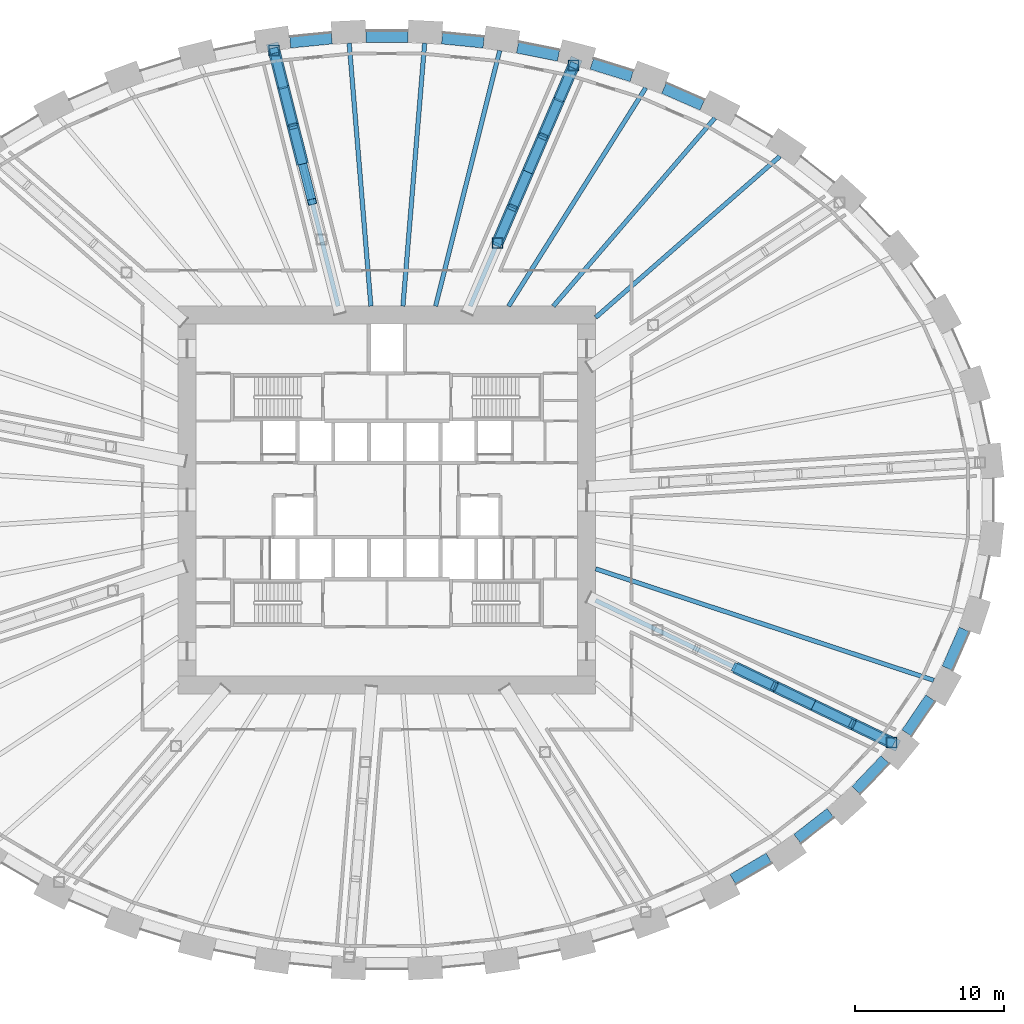
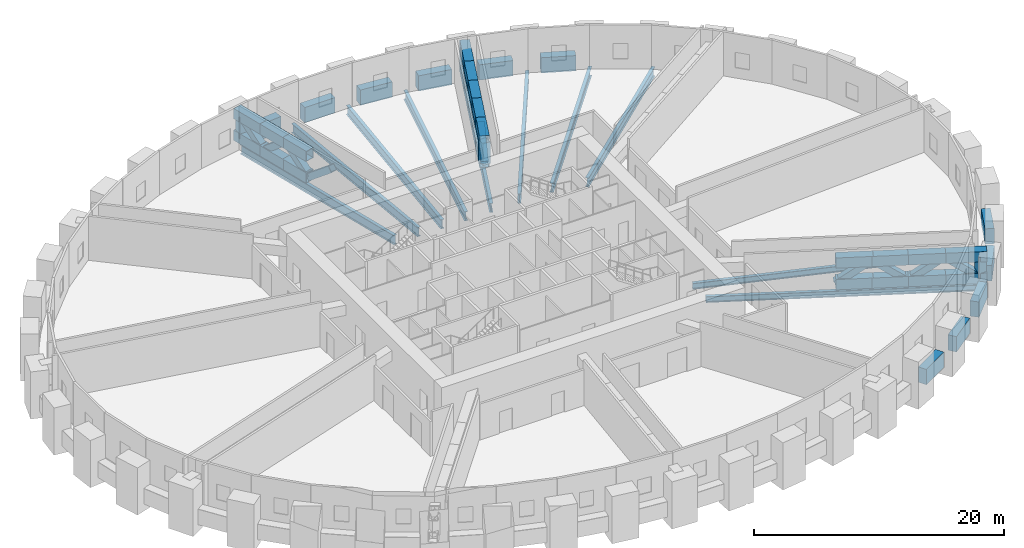
# One storey, part 5 of 14: 41 members, 21 beams.
"""IFC4 building model written with IfcOpenShell, lengths in metres."""

from ifc_helpers import new_model, si_unit, direction, frame, origin, origin_2d, place, context, subcontext, project, spatial, rectangle, hollow_rectangle, i_section, extrude, source, transform, mapped, material, material_profile, profile_set, type_object, element, save


model = new_model("IFC4")

# Units and contexts
model_context = context("Model", 3, precision=1e-05, world=origin(), true_north=direction((0.0, 1.0)))
body_context = subcontext(model_context, "Body", "Model", "MODEL_VIEW")
ifc_project = project(units=[si_unit("LENGTHUNIT", "METRE"), si_unit("AREAUNIT", "SQUARE_METRE"), si_unit("VOLUMEUNIT", "CUBIC_METRE"), si_unit("PLANEANGLEUNIT", "RADIAN"), si_unit("MASSUNIT", "GRAM", prefix="KILO")], contexts=[model_context])

# Site, building, storey
site_placement = place(None, origin())
site = spatial("IfcSite", under=ifc_project, at=site_placement, CompositionType="ELEMENT")
building_placement = place(site_placement, origin())
building = spatial("IfcBuilding", under=site, at=building_placement, Name="Embergate Tower", CompositionType="ELEMENT")
storey_placement = place(building_placement, frame((0.0, 0.0, 101.0)))
storey = spatial("IfcBuildingStorey", under=building, at=storey_placement, Name="L21", CompositionType="ELEMENT", Elevation=101.0)

# Beams
ifc_material_1 = material(Name="Concrete C70", Category="concrete")
ifc_material_profile_1 = material_profile(ifc_material_1, rectangle(XDim=0.75, YDim=1.5, at=origin_2d()), Name="RC 750x1500")
ifc_profile_set_1 = profile_set([ifc_material_profile_1], Name="Concrete C70")
beam_type_1 = type_object("IfcBeamType", Name="Spandrel beam RC 750x1500 C70", PredefinedType="BEAM", material=ifc_profile_set_1)
shared_shape_1 = source(origin(), body_context, "Body", "SweptSolid", [
    extrude(rectangle(XDim=0.75, YDim=1.5, at=origin_2d()), origin(), (0.0, 0.0, 1.0), 2.84130859375),
])
beam_1_placement = place(storey_placement, frame((37.5859375, -11.282958984375, 0.0), z_axis=(0.401621037759, 0.915805952169, 0.0), x_axis=(-0.915805952169, 0.401621037759, 0.0)))
element("IfcBeam", 1, at=beam_1_placement, inside=storey, type_object=beam_type_1, Name="SPN-L21-41", PredefinedType="BEAM", context=body_context, shape_type="MappedRepresentation", body=[
    mapped(shared_shape_1, transform((0.0, 0.0, 0.0))),
])
shared_shape_2 = source(origin(), body_context, "Body", "SweptSolid", [
    extrude(rectangle(XDim=0.75, YDim=1.5, at=origin_2d()), origin(), (0.0, 0.0, 1.0), 2.83203125),
])
beam_2_placement = place(storey_placement, frame((34.863037109375, -15.6279296875, 0.0), z_axis=(0.56217796331, 0.827016286157, 0.0), x_axis=(-0.827016286157, 0.56217796331, 0.0)))
element("IfcBeam", 2, at=beam_2_placement, inside=storey, type_object=beam_type_1, Name="SPN-L21-40", PredefinedType="BEAM", context=body_context, shape_type="MappedRepresentation", body=[
    mapped(shared_shape_2, transform((0.0, 0.0, 0.0))),
])
shared_shape_3 = source(origin(), body_context, "Body", "SweptSolid", [
    extrude(rectangle(XDim=0.75, YDim=1.5, at=origin_2d()), origin(), (0.0, 0.0, 1.0), 2.826171875),
])
beam_3_placement = place(storey_placement, frame((31.467041015625, -19.4619140625, 0.0), z_axis=(0.690282598808, 0.723539863299, 0.0), x_axis=(-0.723539863299, 0.690282598808, 0.0)))
element("IfcBeam", 3, at=beam_3_placement, inside=storey, type_object=beam_type_1, Name="SPN-L21-39", PredefinedType="BEAM", context=body_context, shape_type="MappedRepresentation", body=[
    mapped(shared_shape_3, transform((0.0, 0.0, 0.0))),
])
shared_shape_4 = source(origin(), body_context, "Body", "SweptSolid", [
    extrude(rectangle(XDim=0.75, YDim=1.5, at=origin_2d()), origin(), (0.0, 0.0, 1.0), 2.817138671875),
])
beam_4_placement = place(storey_placement, frame((27.528076171875, -22.72412109375, 0.0), z_axis=(0.788361915434, 0.615211744275, 0.0), x_axis=(-0.615211744275, 0.788361915434, 0.0)))
element("IfcBeam", 4, at=beam_4_placement, inside=storey, type_object=beam_type_1, Name="SPN-L21-38", PredefinedType="BEAM", context=body_context, shape_type="MappedRepresentation", body=[
    mapped(shared_shape_4, transform((0.0, 0.0, 0.0))),
])
shared_shape_5 = source(origin(), body_context, "Body", "SweptSolid", [
    extrude(rectangle(XDim=0.75, YDim=1.5, at=origin_2d()), origin(), (0.0, 0.0, 1.0), 2.813232421875),
])
beam_5_placement = place(storey_placement, frame((23.200927734375, -25.443115234375, 0.0), z_axis=(0.862007825953, 0.506894967421, 0.0), x_axis=(-0.506894967421, 0.862007825953, 0.0)))
element("IfcBeam", 5, at=beam_5_placement, inside=storey, type_object=beam_type_1, Name="SPN-L21-37", PredefinedType="BEAM", context=body_context, shape_type="MappedRepresentation", body=[
    mapped(shared_shape_5, transform((0.0, 0.0, 0.0))),
])
shared_shape_6 = source(origin(), body_context, "Body", "SweptSolid", [
    extrude(rectangle(XDim=0.75, YDim=1.5, at=origin_2d()), origin(), (0.0, 0.0, 1.0), 2.81005859375),
])
beam_6_placement = place(storey_placement, frame((21.152099609375, 26.488037109375, 0.0), z_axis=(-0.916061598474, 0.401037589013, 0.0), x_axis=(-0.401037589013, -0.916061598474, 0.0)))
element("IfcBeam", 6, at=beam_6_placement, inside=storey, type_object=beam_type_1, Name="SPN-L21-06", PredefinedType="BEAM", context=body_context, shape_type="MappedRepresentation", body=[
    mapped(shared_shape_6, transform((0.0, 0.0, 0.0))),
])
shared_shape_7 = source(origin(), body_context, "Body", "SweptSolid", [
    extrude(rectangle(XDim=0.75, YDim=1.5, at=origin_2d()), origin(), (0.0, 0.0, 1.0), 2.806884765625),
])
beam_7_placement = place(storey_placement, frame((16.423095703125, 28.41796875, 0.0), z_axis=(-0.954841423743, 0.297115895746, 0.0), x_axis=(-0.297115895746, -0.954841423743, 0.0)))
element("IfcBeam", 7, at=beam_7_placement, inside=storey, type_object=beam_type_1, Name="SPN-L21-07", PredefinedType="BEAM", context=body_context, shape_type="MappedRepresentation", body=[
    mapped(shared_shape_7, transform((0.0, 0.0, 0.0))),
])
shared_shape_8 = source(origin(), body_context, "Body", "SweptSolid", [
    extrude(rectangle(XDim=0.75, YDim=1.5, at=origin_2d()), origin(), (0.0, 0.0, 1.0), 2.802734375),
])
beam_8_placement = place(storey_placement, frame((11.510009765625, 29.802001953125, 0.0), z_axis=(-0.980483396855, 0.19660190358, 0.0), x_axis=(-0.19660190358, -0.980483396855, 0.0)))
element("IfcBeam", 8, at=beam_8_placement, inside=storey, type_object=beam_type_1, Name="SPN-L21-08", PredefinedType="BEAM", context=body_context, shape_type="MappedRepresentation", body=[
    mapped(shared_shape_8, transform((0.0, 0.0, 0.0))),
])
shared_shape_9 = source(origin(), body_context, "Body", "SweptSolid", [
    extrude(rectangle(XDim=0.75, YDim=1.5, at=origin_2d()), origin(), (0.0, 0.0, 1.0), 2.801513671875),
])
for number, where, z_axis, x_axis, name in (
    (9, (6.487060546875, 30.69189453125, 0.0), (-0.995199776521, 0.097864216203, 0.0), (-0.097864216203, -0.995199776521, 0.0), "SPN-L21-09"),
    (10, (-3.698974609375, 30.966064453125, 0.0), (-0.995199776521, -0.097864216203, 0.0), (0.097864216203, -0.995199776521, 0.0), "SPN-L21-11"),
):
    element("IfcBeam", number, at=place(storey_placement, frame(where, z_axis=z_axis, x_axis=x_axis)), inside=storey, type_object=beam_type_1, Name=name, PredefinedType="BEAM", context=body_context, shape_type="MappedRepresentation", body=[
        mapped(shared_shape_9, transform((0.0, 0.0, 0.0))),
    ])
shared_shape_10 = source(origin(), body_context, "Body", "SweptSolid", [
    extrude(rectangle(XDim=0.75, YDim=1.5, at=origin_2d()), origin(), (0.0, 0.0, 1.0), 2.8017578125),
])
beam_9_placement = place(storey_placement, frame((1.40087890625, 31.0791015625, 0.0), z_axis=(-1.0, 0.0, 0.0), x_axis=(0.0, -1.0, 0.0)))
element("IfcBeam", 11, at=beam_9_placement, inside=storey, type_object=beam_type_1, Name="SPN-L21-10", PredefinedType="BEAM", context=body_context, shape_type="MappedRepresentation", body=[
    mapped(shared_shape_10, transform((0.0, 0.0, 0.0))),
])
ifc_material_2 = material(Name="Steel Q355B", Category="steel")
ifc_material_profile_2 = material_profile(ifc_material_2, i_section(OverallWidth=0.300048828125, OverallDepth=0.587890625, WebThickness=0.011962890625, FlangeThickness=0.02001953125, FilletRadius=0.012939453125, at=origin_2d()), Name="HM 588x300x12x20")
ifc_profile_set_2 = profile_set([ifc_material_profile_2], Name="Steel Q355 grade B")
beam_type_2 = type_object("IfcBeamType", Name="Plant girder HM 588x300x12x20", PredefinedType="BEAM", material=ifc_profile_set_2)
shared_shape_11 = source(origin(), body_context, "Body", "SweptSolid", [
    extrude(i_section(OverallWidth=0.300048828125, OverallDepth=0.587890625, WebThickness=0.011962890625, FlangeThickness=0.02001953125, FilletRadius=0.012939453125, at=origin_2d()), origin(), (0.0, 0.0, 1.0), 23.889892578125),
])
beam_10_placement = place(storey_placement, frame((36.68798828125, -12.09912109375, -0.593994140625), z_axis=(-0.949689151569, 0.313194053891, 0.0), x_axis=(-0.313194053891, -0.949689151569, 0.0)))
element("IfcBeam", 12, at=beam_10_placement, inside=storey, type_object=beam_type_2, Name="GIR-L21-41", PredefinedType="BEAM", context=body_context, shape_type="MappedRepresentation", body=[
    mapped(shared_shape_11, transform((0.0, 0.0, 0.0))),
])
shared_shape_12 = source(origin(), body_context, "Body", "SweptSolid", [
    extrude(i_section(OverallWidth=0.300048828125, OverallDepth=0.587890625, WebThickness=0.011962890625, FlangeThickness=0.02001953125, FilletRadius=0.012939453125, at=origin_2d()), origin(), (0.0, 0.0, 1.0), 22.02099609375),
])
beam_11_placement = place(storey_placement, frame((33.843994140625, -16.281982421875, -0.593994140625), z_axis=(-0.90113724632, 0.433533924042, 0.0), x_axis=(-0.433533924042, -0.90113724632, 0.0)))
element("IfcBeam", 13, at=beam_11_placement, inside=storey, type_object=beam_type_2, Name="GIR-L21-40", PredefinedType="BEAM", context=body_context, shape_type="MappedRepresentation", body=[
    mapped(shared_shape_12, transform((0.0, 0.0, 0.0))),
])
ifc_material_profile_3 = material_profile(ifc_material_2, i_section(OverallWidth=0.300048828125, OverallDepth=0.89990234375, WebThickness=0.01611328125, FlangeThickness=0.028076171875, FilletRadius=0.028076171875, at=origin_2d()), Name="HN 900x300x16x28")
ifc_profile_set_3 = profile_set([ifc_material_profile_3], Name="Steel Q355 grade B")
beam_type_3 = type_object("IfcBeamType", Name="Plant girder HN 900x300x16x28", PredefinedType="BEAM", material=ifc_profile_set_3)
shared_shape_13 = source(origin(), body_context, "Body", "SweptSolid", [
    extrude(i_section(OverallWidth=0.300048828125, OverallDepth=0.89990234375, WebThickness=0.01611328125, FlangeThickness=0.028076171875, FilletRadius=0.028076171875, at=origin_2d()), origin(), (0.0, 0.0, 1.0), 16.42529296875),
])
beam_12_placement = place(storey_placement, frame((26.364013671875, 23.055908203125, -0.75), z_axis=(-0.752743328411, -0.658314120714, 0.0), x_axis=(0.658314120714, -0.752743328411, 0.0)))
element("IfcBeam", 14, at=beam_12_placement, inside=storey, type_object=beam_type_3, Name="GIR-L21-05", PredefinedType="BEAM", context=body_context, shape_type="MappedRepresentation", body=[
    mapped(shared_shape_13, transform((0.0, 0.0, 0.0))),
])
shared_shape_14 = source(origin(), body_context, "Body", "SweptSolid", [
    extrude(i_section(OverallWidth=0.300048828125, OverallDepth=0.89990234375, WebThickness=0.01611328125, FlangeThickness=0.028076171875, FilletRadius=0.028076171875, at=origin_2d()), origin(), (0.0, 0.0, 1.0), 16.634521484375),
])
beam_13_placement = place(storey_placement, frame((22.0009765625, 25.6201171875, -0.75), z_axis=(-0.6514728043, -0.758671987922, 0.0), x_axis=(0.758671987922, -0.6514728043, 0.0)))
element("IfcBeam", 15, at=beam_13_placement, inside=storey, type_object=beam_type_3, Name="GIR-L21-06", PredefinedType="BEAM", context=body_context, shape_type="MappedRepresentation", body=[
    mapped(shared_shape_14, transform((0.0, 0.0, 0.0))),
])
shared_shape_15 = source(origin(), body_context, "Body", "SweptSolid", [
    extrude(i_section(OverallWidth=0.300048828125, OverallDepth=0.89990234375, WebThickness=0.01611328125, FlangeThickness=0.028076171875, FilletRadius=0.028076171875, at=origin_2d()), origin(), (0.0, 0.0, 1.0), 17.29833984375),
])
beam_14_placement = place(storey_placement, frame((17.364013671875, 27.64892578125, -0.75), z_axis=(-0.53184228431, -0.84684342391, 0.0), x_axis=(0.84684342391, -0.53184228431, 0.0)))
element("IfcBeam", 16, at=beam_14_placement, inside=storey, type_object=beam_type_3, Name="GIR-L21-07", PredefinedType="BEAM", context=body_context, shape_type="MappedRepresentation", body=[
    mapped(shared_shape_15, transform((0.0, 0.0, 0.0))),
])
shared_shape_16 = source(origin(), body_context, "Body", "SweptSolid", [
    extrude(i_section(OverallWidth=0.300048828125, OverallDepth=0.89990234375, WebThickness=0.01611328125, FlangeThickness=0.028076171875, FilletRadius=0.028076171875, at=origin_2d()), origin(), (0.0, 0.0, 1.0), 17.58203125),
])
beam_15_placement = place(storey_placement, frame((12.531005859375, 29.153076171875, -0.75), z_axis=(-0.394897783559, -0.918725062541, 0.0), x_axis=(0.918725062541, -0.394897783559, 0.0)))
element("IfcBeam", 17, at=beam_15_placement, inside=storey, type_object=beam_type_3, Name="GIR-L21-08", PredefinedType="BEAM", context=body_context, shape_type="MappedRepresentation", body=[
    mapped(shared_shape_16, transform((0.0, 0.0, 0.0))),
])
shared_shape_17 = source(origin(), body_context, "Body", "SweptSolid", [
    extrude(i_section(OverallWidth=0.300048828125, OverallDepth=0.89990234375, WebThickness=0.01611328125, FlangeThickness=0.028076171875, FilletRadius=0.028076171875, at=origin_2d()), origin(), (0.0, 0.0, 1.0), 17.68115234375),
])
for number, where, z_axis, x_axis, name in (
    (18, (7.569091796875, 30.14892578125, -0.75), (-0.243490697854, -0.969903232317, 0.0), (0.969903232317, -0.243490697854, 0.0), "GIR-L21-09"),
    (19, (-7.569091796875, 30.14892578125, -0.75), (0.243490697854, -0.969903232317, 0.0), (0.969903232317, 0.243490697854, 0.0), "GIR-L21-12"),
):
    element("IfcBeam", number, at=place(storey_placement, frame(where, z_axis=z_axis, x_axis=x_axis)), inside=storey, type_object=beam_type_3, Name=name, PredefinedType="BEAM", context=body_context, shape_type="MappedRepresentation", body=[
        mapped(shared_shape_17, transform((0.0, 0.0, 0.0))),
    ])
shared_shape_18 = source(origin(), body_context, "Body", "SweptSolid", [
    extrude(i_section(OverallWidth=0.300048828125, OverallDepth=0.89990234375, WebThickness=0.01611328125, FlangeThickness=0.028076171875, FilletRadius=0.028076171875, at=origin_2d()), origin(), (0.0, 0.0, 1.0), 17.7041015625),
])
for number, where, z_axis, x_axis, name in (
    (20, (2.531005859375, 30.64404296875, -0.75), (-0.082299081422, -0.99660767667, 0.0), (0.99660767667, -0.082299081422, 0.0), "GIR-L21-10"),
    (21, (-2.531005859375, 30.64404296875, -0.75), (0.082299081422, -0.99660767667, 0.0), (0.99660767667, 0.082299081422, 0.0), "GIR-L21-11"),
):
    element("IfcBeam", number, at=place(storey_placement, frame(where, z_axis=z_axis, x_axis=x_axis)), inside=storey, type_object=beam_type_3, Name=name, PredefinedType="BEAM", context=body_context, shape_type="MappedRepresentation", body=[
        mapped(shared_shape_18, transform((0.0, 0.0, 0.0))),
    ])

# Members
ifc_material_profile_4 = material_profile(ifc_material_2, hollow_rectangle(XDim=0.699951171875, YDim=0.699951171875, WallThickness=0.031982421875, at=origin_2d()), Name="BOX 700x700x32")
ifc_profile_set_4 = profile_set([ifc_material_profile_4], Name="Steel Q355 grade B")
member_type_1 = type_object("IfcMemberType", Name="Outrigger post BOX 700x700x32", PredefinedType="POST", material=ifc_profile_set_4)
shared_shape_19 = source(origin(), body_context, "Body", "SweptSolid", [
    extrude(hollow_rectangle(XDim=0.699951171875, YDim=0.699951171875, WallThickness=0.031982421875, at=origin_2d()), origin(), (0.0, 0.0, 1.0), 2.110107421875),
])
for number, where, z_axis, x_axis, name in (
    (22, (7.404052734375, 17.22607421875, 0.5), (0.0, 0.0, 1.0), (1.0, 0.0, 0.0), "OUT-L21-08-PO00"),
    (23, (12.531005859375, 29.154052734375, 0.5), (0.0, 0.0, 1.0), (1.0, 0.0, 0.0), "OUT-L21-08-PO05"),
    (24, (-7.569091796875, 30.14892578125, 0.5), (0.0, 0.0, 1.0), (1.0, 0.0, 0.0), "OUT-L21-12-PO05"),
    (25, (33.843994140625, -16.281005859375, 0.5), (0.0, 0.0, 1.0), (1.0, 0.0, 0.0), "OUT-L21-40-PO06"),
):
    element("IfcMember", number, at=place(storey_placement, frame(where, z_axis=z_axis, x_axis=x_axis)), inside=storey, type_object=member_type_1, Name=name, PredefinedType="POST", context=body_context, shape_type="MappedRepresentation", body=[
        mapped(shared_shape_19, transform((0.0, 0.0, 0.0))),
    ])
ifc_material_profile_5 = material_profile(ifc_material_2, hollow_rectangle(XDim=0.800048828125, YDim=1.0, WallThickness=0.044921875, at=origin_2d()), Name="BOX 1000x800x45")
ifc_profile_set_5 = profile_set([ifc_material_profile_5], Name="Steel Q355 grade B")
member_type_2 = type_object("IfcMemberType", Name="Outrigger chord BOX 1000x800x45", PredefinedType="CHORD", material=ifc_profile_set_5)
shared_shape_20 = source(origin(), body_context, "Body", "SweptSolid", [
    extrude(hollow_rectangle(XDim=0.800048828125, YDim=1.0, WallThickness=0.044921875, at=origin_2d()), origin(), (0.0, 0.0, 1.0), 2.697265625),
])
for number, where, z_axis, x_axis, name in (
    (26, (7.404052734375, 17.22607421875, 2.610107421875), (0.394836761094, 0.918751289571, 0.0), (-0.918751289571, 0.394836761094, 0.0), "OUT-L21-08-TC01"),
    (27, (9.455078125, 21.9970703125, 2.610107421875), (0.394836761094, 0.918751289571, 0.0), (-0.918751289571, 0.394836761094, 0.0), "OUT-L21-08-TC03"),
    (28, (7.404052734375, 17.22607421875, 0.5), (0.394836761094, 0.918751289571, 0.0), (-0.918751289571, 0.394836761094, 0.0), "OUT-L21-08-BC00"),
    (29, (9.455078125, 21.9970703125, 0.5), (0.394836761094, 0.918751289571, 0.0), (-0.918751289571, 0.394836761094, 0.0), "OUT-L21-08-BC02"),
):
    element("IfcMember", number, at=place(storey_placement, frame(where, z_axis=z_axis, x_axis=x_axis)), inside=storey, type_object=member_type_2, Name=name, PredefinedType="CHORD", context=body_context, shape_type="MappedRepresentation", body=[
        mapped(shared_shape_20, transform((0.0, 0.0, 0.0))),
    ])
shared_shape_21 = source(origin(), body_context, "Body", "SweptSolid", [
    extrude(hollow_rectangle(XDim=0.800048828125, YDim=1.0, WallThickness=0.044921875, at=origin_2d()), origin(), (0.0, 0.0, 1.0), 2.6962890625),
])
for number, where, z_axis, x_axis, name in (
    (30, (8.429931640625, 19.612060546875, 2.610107421875), (0.395044561915, 0.918661958558, 0.0), (-0.918661958558, 0.395044561915, 0.0), "OUT-L21-08-TC02"),
    (31, (10.47998046875, 24.383056640625, 2.610107421875), (0.39496814392, 0.918694816187, 0.0), (-0.918694816187, 0.39496814392, 0.0), "OUT-L21-08-TC04"),
    (32, (8.429931640625, 19.612060546875, 0.5), (0.395044561915, 0.918661958558, 0.0), (-0.918661958558, 0.395044561915, 0.0), "OUT-L21-08-BC01"),
    (33, (10.47998046875, 24.383056640625, 0.5), (0.39496814392, 0.918694816187, 0.0), (-0.918694816187, 0.39496814392, 0.0), "OUT-L21-08-BC03"),
):
    element("IfcMember", number, at=place(storey_placement, frame(where, z_axis=z_axis, x_axis=x_axis)), inside=storey, type_object=member_type_2, Name=name, PredefinedType="CHORD", context=body_context, shape_type="MappedRepresentation", body=[
        mapped(shared_shape_21, transform((0.0, 0.0, 0.0))),
    ])
shared_shape_22 = source(origin(), body_context, "Body", "SweptSolid", [
    extrude(hollow_rectangle(XDim=0.800048828125, YDim=1.0, WallThickness=0.044921875, at=origin_2d()), origin(), (0.0, 0.0, 1.0), 3.09619140625),
])
for number, where, z_axis, x_axis, name in (
    (34, (11.506103515625, 26.76806640625, 2.610107421875), (0.394642418101, 0.918834784842, 0.0), (-0.918834784842, 0.394642418101, 0.0), "OUT-L21-08-TC05"),
    (35, (11.506103515625, 26.76806640625, 0.5), (0.394642418101, 0.918834784842, 0.0), (-0.918834784842, 0.394642418101, 0.0), "OUT-L21-08-BC04"),
):
    element("IfcMember", number, at=place(storey_placement, frame(where, z_axis=z_axis, x_axis=x_axis)), inside=storey, type_object=member_type_2, Name=name, PredefinedType="CHORD", context=body_context, shape_type="MappedRepresentation", body=[
        mapped(shared_shape_22, transform((0.0, 0.0, 0.0))),
    ])
ifc_material_profile_6 = material_profile(ifc_material_2, hollow_rectangle(XDim=0.60009765625, YDim=0.60009765625, WallThickness=0.028076171875, at=origin_2d()), Name="BOX 600x600x28")
ifc_profile_set_6 = profile_set([ifc_material_profile_6], Name="Steel Q355 grade B")
member_type_3 = type_object("IfcMemberType", Name="Outrigger diagonal BOX 600x600x28", PredefinedType="BRACE", material=ifc_profile_set_6)
shared_shape_23 = source(origin(), body_context, "Body", "SweptSolid", [
    extrude(hollow_rectangle(XDim=0.60009765625, YDim=0.60009765625, WallThickness=0.028076171875, at=origin_2d()), origin(), (0.0, 0.0, 1.0), 3.346435546875),
])
member_1_placement = place(storey_placement, frame((7.404052734375, 17.22607421875, 0.5), z_axis=(0.306568537714, 0.713016258706, 0.630573981786), x_axis=(-0.918682491263, 0.394996810425, 0.0)))
element("IfcMember", 36, at=member_1_placement, inside=storey, type_object=member_type_3, Name="OUT-L21-08-DG00", PredefinedType="BRACE", context=body_context, shape_type="MappedRepresentation", body=[
    mapped(shared_shape_23, transform((0.0, 0.0, 0.0))),
])
shared_shape_24 = source(origin(), body_context, "Body", "SweptSolid", [
    extrude(hollow_rectangle(XDim=0.60009765625, YDim=0.60009765625, WallThickness=0.028076171875, at=origin_2d()), origin(), (0.0, 0.0, 1.0), 3.345458984375),
])
member_2_placement = place(storey_placement, frame((8.429931640625, 19.612060546875, 2.610107421875), z_axis=(0.306433980116, 0.712920588652, -0.630747532779), x_axis=(-0.918726173339, 0.394895199289, 0.0)))
element("IfcMember", 37, at=member_2_placement, inside=storey, type_object=member_type_3, Name="OUT-L21-08-DG01", PredefinedType="BRACE", context=body_context, shape_type="MappedRepresentation", body=[
    mapped(shared_shape_24, transform((0.0, 0.0, 0.0))),
])
shared_shape_25 = source(origin(), body_context, "Body", "SweptSolid", [
    extrude(hollow_rectangle(XDim=0.60009765625, YDim=0.60009765625, WallThickness=0.028076171875, at=origin_2d()), origin(), (0.0, 0.0, 1.0), 3.345947265625),
])
for number, where, z_axis, x_axis, name in (
    (38, (9.455078125, 21.9970703125, 0.5), (0.306304098698, 0.71308002777, 0.630630377572), (-0.918818901362, 0.394679397106, 0.0), "OUT-L21-08-DG02"),
    (39, (11.506103515625, 26.76806640625, 0.5), (0.306304098698, 0.71308002777, 0.630630377572), (-0.918818901362, 0.394679397106, 0.0), "OUT-L21-08-DG04"),
):
    element("IfcMember", number, at=place(storey_placement, frame(where, z_axis=z_axis, x_axis=x_axis)), inside=storey, type_object=member_type_3, Name=name, PredefinedType="BRACE", context=body_context, shape_type="MappedRepresentation", body=[
        mapped(shared_shape_25, transform((0.0, 0.0, 0.0))),
    ])
shared_shape_26 = source(origin(), body_context, "Body", "SweptSolid", [
    extrude(hollow_rectangle(XDim=0.60009765625, YDim=0.60009765625, WallThickness=0.028076171875, at=origin_2d()), origin(), (0.0, 0.0, 1.0), 3.345703125),
])
member_3_placement = place(storey_placement, frame((10.47998046875, 24.383056640625, 2.610107421875), z_axis=(0.306698445008, 0.712856794976, -0.630691092126), x_axis=(-0.918589660369, 0.395212646385, 0.0)))
element("IfcMember", 40, at=member_3_placement, inside=storey, type_object=member_type_3, Name="OUT-L21-08-DG03", PredefinedType="BRACE", context=body_context, shape_type="MappedRepresentation", body=[
    mapped(shared_shape_26, transform((0.0, 0.0, 0.0))),
])
shared_shape_27 = source(origin(), body_context, "Body", "SweptSolid", [
    extrude(hollow_rectangle(XDim=0.800048828125, YDim=1.0, WallThickness=0.044921875, at=origin_2d()), origin(), (0.0, 0.0, 1.0), 2.7158203125),
])
for number, where, z_axis, x_axis, name in (
    (41, (-6.294921875, 25.073974609375, 2.610107421875), (-0.243445079517, 0.969914683495, 0.0), (-0.969914683495, -0.243445079517, 0.0), "OUT-L21-12-TC04"),
    (42, (-6.294921875, 25.073974609375, 0.5), (-0.243445079517, 0.969914683495, 0.0), (-0.969914683495, -0.243445079517, 0.0), "OUT-L21-12-BC03"),
):
    element("IfcMember", number, at=place(storey_placement, frame(where, z_axis=z_axis, x_axis=x_axis)), inside=storey, type_object=member_type_2, Name=name, PredefinedType="CHORD", context=body_context, shape_type="MappedRepresentation", body=[
        mapped(shared_shape_27, transform((0.0, 0.0, 0.0))),
    ])
shared_shape_28 = source(origin(), body_context, "Body", "SweptSolid", [
    extrude(hollow_rectangle(XDim=0.800048828125, YDim=1.0, WallThickness=0.044921875, at=origin_2d()), origin(), (0.0, 0.0, 1.0), 2.715576171875),
])
for number, where, z_axis, x_axis, name in (
    (43, (-5.657958984375, 22.537109375, 2.610107421875), (-0.243466308224, 0.969909354919, 0.0), (-0.969909354919, -0.243466308224, 0.0), "OUT-L21-12-TC03"),
    (44, (-5.657958984375, 22.537109375, 0.5), (-0.243466308224, 0.969909354919, 0.0), (-0.969909354919, -0.243466308224, 0.0), "OUT-L21-12-BC02"),
):
    element("IfcMember", number, at=place(storey_placement, frame(where, z_axis=z_axis, x_axis=x_axis)), inside=storey, type_object=member_type_2, Name=name, PredefinedType="CHORD", context=body_context, shape_type="MappedRepresentation", body=[
        mapped(shared_shape_28, transform((0.0, 0.0, 0.0))),
    ])
shared_shape_29 = source(origin(), body_context, "Body", "SweptSolid", [
    extrude(hollow_rectangle(XDim=0.800048828125, YDim=1.0, WallThickness=0.044921875, at=origin_2d()), origin(), (0.0, 0.0, 1.0), 3.11572265625),
])
for number, where, z_axis, x_axis, name in (
    (45, (-6.931884765625, 27.612060546875, 2.610107421875), (-0.243604789026, 0.969874583007, 0.0), (-0.969874583007, -0.243604789026, 0.0), "OUT-L21-12-TC05"),
    (46, (-6.931884765625, 27.612060546875, 0.5), (-0.243604789026, 0.969874583007, 0.0), (-0.969874583007, -0.243604789026, 0.0), "OUT-L21-12-BC04"),
):
    element("IfcMember", number, at=place(storey_placement, frame(where, z_axis=z_axis, x_axis=x_axis)), inside=storey, type_object=member_type_2, Name=name, PredefinedType="CHORD", context=body_context, shape_type="MappedRepresentation", body=[
        mapped(shared_shape_29, transform((0.0, 0.0, 0.0))),
    ])
shared_shape_30 = source(origin(), body_context, "Body", "SweptSolid", [
    extrude(hollow_rectangle(XDim=0.60009765625, YDim=0.60009765625, WallThickness=0.028076171875, at=origin_2d()), origin(), (0.0, 0.0, 1.0), 3.36181640625),
])
member_4_placement = place(storey_placement, frame((-5.02001953125, 19.9990234375, 2.610107421875), z_axis=(-0.189763784347, 0.754988251844, -0.627680209762), x_axis=(-0.969834415834, -0.243764652614, 0.0)))
element("IfcMember", 47, at=member_4_placement, inside=storey, type_object=member_type_3, Name="OUT-L21-12-DG01", PredefinedType="BRACE", context=body_context, shape_type="MappedRepresentation", body=[
    mapped(shared_shape_30, transform((0.0, 0.0, 0.0))),
])
shared_shape_31 = source(origin(), body_context, "Body", "SweptSolid", [
    extrude(hollow_rectangle(XDim=0.60009765625, YDim=0.60009765625, WallThickness=0.028076171875, at=origin_2d()), origin(), (0.0, 0.0, 1.0), 3.360595703125),
])
for number, where, z_axis, x_axis, name in (
    (48, (-5.657958984375, 22.537109375, 0.5), (-0.189535691139, 0.754873655281, 0.627886921624), (-0.969894920531, -0.243523804029, 0.0), "OUT-L21-12-DG02"),
    (49, (-6.931884765625, 27.612060546875, 0.5), (-0.189605726815, 0.754863259516, 0.627878274661), (-0.969872870873, -0.243611605522, 0.0), "OUT-L21-12-DG04"),
):
    element("IfcMember", number, at=place(storey_placement, frame(where, z_axis=z_axis, x_axis=x_axis)), inside=storey, type_object=member_type_3, Name=name, PredefinedType="BRACE", context=body_context, shape_type="MappedRepresentation", body=[
        mapped(shared_shape_31, transform((0.0, 0.0, 0.0))),
    ])
shared_shape_32 = source(origin(), body_context, "Body", "SweptSolid", [
    extrude(hollow_rectangle(XDim=0.60009765625, YDim=0.60009765625, WallThickness=0.028076171875, at=origin_2d()), origin(), (0.0, 0.0, 1.0), 3.361572265625),
])
member_5_placement = place(storey_placement, frame((-6.294921875, 25.073974609375, 2.610107421875), z_axis=(-0.189483730073, 0.755029842023, -0.627714786899), x_axis=(-0.969922578824, -0.243413621408, 0.0)))
element("IfcMember", 50, at=member_5_placement, inside=storey, type_object=member_type_3, Name="OUT-L21-12-DG03", PredefinedType="BRACE", context=body_context, shape_type="MappedRepresentation", body=[
    mapped(shared_shape_32, transform((0.0, 0.0, 0.0))),
])
shared_shape_33 = source(origin(), body_context, "Body", "SweptSolid", [
    extrude(hollow_rectangle(XDim=0.800048828125, YDim=1.0, WallThickness=0.044921875, at=origin_2d()), origin(), (0.0, 0.0, 1.0), 3.00390625),
])
for number, where, z_axis, x_axis, name in (
    (51, (23.3779296875, -11.24609375, 2.610107421875), (0.901181610855, -0.433441696491, 0.0), (0.433441696491, 0.901181610855, 0.0), "OUT-L21-40-TC03"),
    (52, (28.611083984375, -13.763916015625, 2.610107421875), (0.901181610855, -0.433441696491, 0.0), (0.433441696491, 0.901181610855, 0.0), "OUT-L21-40-TC05"),
    (53, (23.3779296875, -11.24609375, 0.5), (0.901181610855, -0.433441696491, 0.0), (0.433441696491, 0.901181610855, 0.0), "OUT-L21-40-BC02"),
    (54, (28.611083984375, -13.763916015625, 0.5), (0.901181610855, -0.433441696491, 0.0), (0.433441696491, 0.901181610855, 0.0), "OUT-L21-40-BC04"),
):
    element("IfcMember", number, at=place(storey_placement, frame(where, z_axis=z_axis, x_axis=x_axis)), inside=storey, type_object=member_type_2, Name=name, PredefinedType="CHORD", context=body_context, shape_type="MappedRepresentation", body=[
        mapped(shared_shape_33, transform((0.0, 0.0, 0.0))),
    ])
shared_shape_34 = source(origin(), body_context, "Body", "SweptSolid", [
    extrude(hollow_rectangle(XDim=0.800048828125, YDim=1.0, WallThickness=0.044921875, at=origin_2d()), origin(), (0.0, 0.0, 1.0), 3.002685546875),
])
for number, where, z_axis, x_axis, name in (
    (55, (25.9951171875, -12.5048828125, 2.610107421875), (0.901105222159, -0.433600482701, 0.0), (0.433600482701, 0.901105222159, 0.0), "OUT-L21-40-TC04"),
    (56, (25.9951171875, -12.5048828125, 0.5), (0.901105222159, -0.433600482701, 0.0), (0.433600482701, 0.901105222159, 0.0), "OUT-L21-40-BC03"),
):
    element("IfcMember", number, at=place(storey_placement, frame(where, z_axis=z_axis, x_axis=x_axis)), inside=storey, type_object=member_type_2, Name=name, PredefinedType="CHORD", context=body_context, shape_type="MappedRepresentation", body=[
        mapped(shared_shape_34, transform((0.0, 0.0, 0.0))),
    ])
shared_shape_35 = source(origin(), body_context, "Body", "SweptSolid", [
    extrude(hollow_rectangle(XDim=0.800048828125, YDim=1.0, WallThickness=0.044921875, at=origin_2d()), origin(), (0.0, 0.0, 1.0), 3.403564453125),
])
for number, where, z_axis, x_axis, name in (
    (57, (31.22802734375, -15.02197265625, 2.610107421875), (0.901068116966, -0.433677585987, 0.0), (0.433677585987, 0.901068116966, 0.0), "OUT-L21-40-TC06"),
    (58, (31.22802734375, -15.02197265625, 0.5), (0.901068116966, -0.433677585987, 0.0), (0.433677585987, 0.901068116966, 0.0), "OUT-L21-40-BC05"),
):
    element("IfcMember", number, at=place(storey_placement, frame(where, z_axis=z_axis, x_axis=x_axis)), inside=storey, type_object=member_type_2, Name=name, PredefinedType="CHORD", context=body_context, shape_type="MappedRepresentation", body=[
        mapped(shared_shape_35, transform((0.0, 0.0, 0.0))),
    ])
shared_shape_36 = source(origin(), body_context, "Body", "SweptSolid", [
    extrude(hollow_rectangle(XDim=0.60009765625, YDim=0.60009765625, WallThickness=0.028076171875, at=origin_2d()), origin(), (0.0, 0.0, 1.0), 3.58984375),
])
member_6_placement = place(storey_placement, frame((23.3779296875, -11.24609375, 0.5), z_axis=(0.729059103569, -0.350655665859, 0.587803902253), x_axis=(0.433441499458, 0.901181705622, 0.0)))
element("IfcMember", 59, at=member_6_placement, inside=storey, type_object=member_type_3, Name="OUT-L21-40-DG02", PredefinedType="BRACE", context=body_context, shape_type="MappedRepresentation", body=[
    mapped(shared_shape_36, transform((0.0, 0.0, 0.0))),
])
shared_shape_37 = source(origin(), body_context, "Body", "SweptSolid", [
    extrude(hollow_rectangle(XDim=0.60009765625, YDim=0.60009765625, WallThickness=0.028076171875, at=origin_2d()), origin(), (0.0, 0.0, 1.0), 3.589111328125),
])
for number, where, z_axis, x_axis, name in (
    (60, (25.9951171875, -12.5048828125, 2.610107421875), (0.72888234954, -0.350802265663, -0.587935618019), (0.433674020434, 0.901069833032, 0.0), "OUT-L21-40-DG03"),
    (61, (31.22802734375, -15.02197265625, 2.610107421875), (0.72888234954, -0.350802265663, -0.587935618019), (0.433674020434, 0.901069833032, 0.0), "OUT-L21-40-DG05"),
):
    element("IfcMember", number, at=place(storey_placement, frame(where, z_axis=z_axis, x_axis=x_axis)), inside=storey, type_object=member_type_3, Name=name, PredefinedType="BRACE", context=body_context, shape_type="MappedRepresentation", body=[
        mapped(shared_shape_37, transform((0.0, 0.0, 0.0))),
    ])
shared_shape_38 = source(origin(), body_context, "Body", "SweptSolid", [
    extrude(hollow_rectangle(XDim=0.60009765625, YDim=0.60009765625, WallThickness=0.028076171875, at=origin_2d()), origin(), (0.0, 0.0, 1.0), 3.58935546875),
])
member_7_placement = place(storey_placement, frame((28.611083984375, -13.763916015625, 0.5), z_axis=(0.729079393456, -0.35049408662, 0.587875100069), x_axis=(0.433269480648, 0.901264421321, 0.0)))
element("IfcMember", 62, at=member_7_placement, inside=storey, type_object=member_type_3, Name="OUT-L21-40-DG04", PredefinedType="BRACE", context=body_context, shape_type="MappedRepresentation", body=[
    mapped(shared_shape_38, transform((0.0, 0.0, 0.0))),
])

save(model, "model.ifc")
